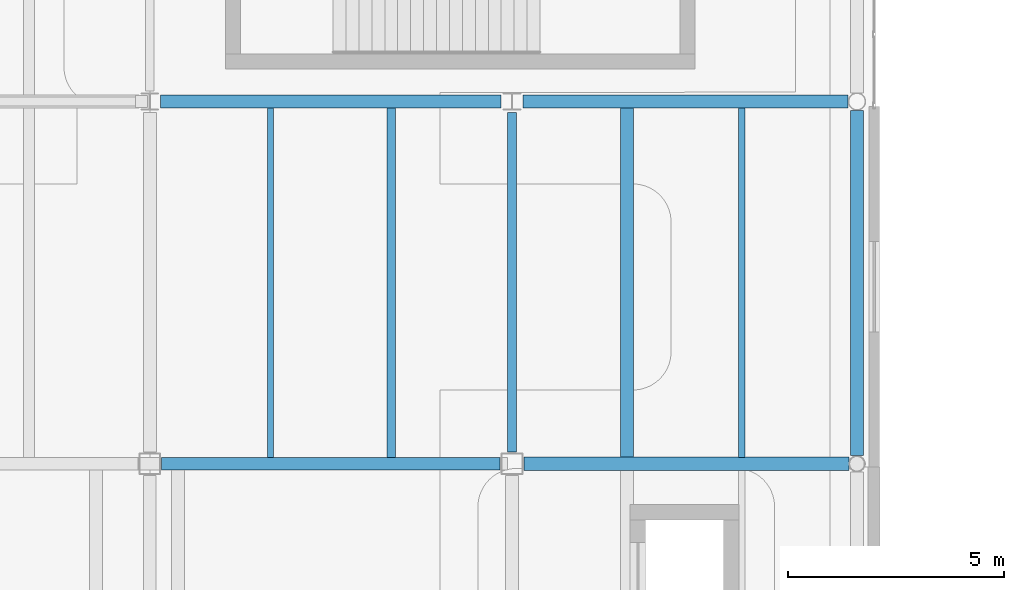
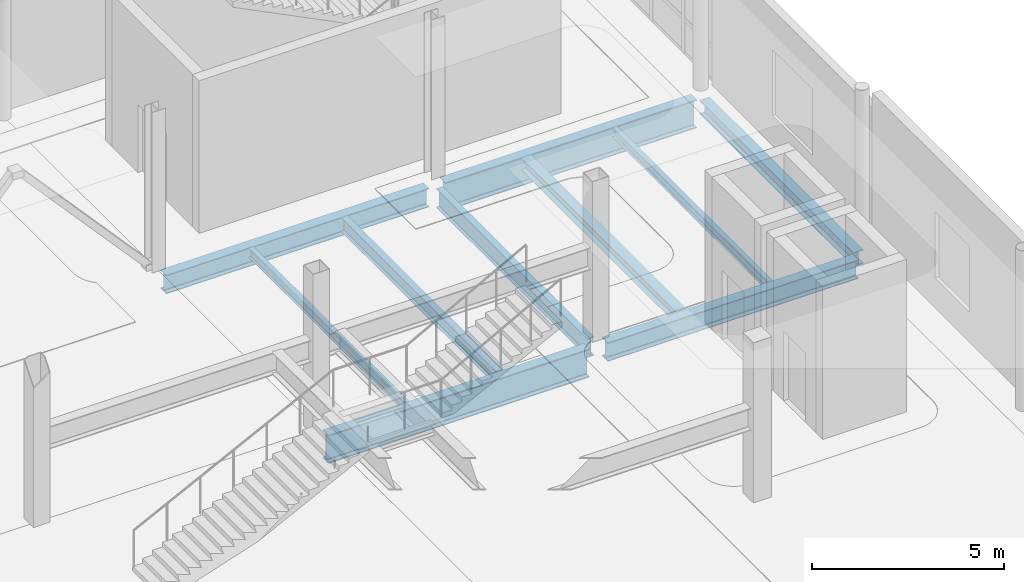
# One storey, part 41 of 103: 10 beams.
"""IFC4 building model written with IfcOpenShell, lengths in metres."""

from ifc_helpers import new_model, si_unit, direction, frame, origin, origin_2d, place, context, subcontext, project, spatial, i_section, extrude, material, material_profile, profile_set, type_object, element, save


model = new_model("IFC4")

# Units and contexts
model_context = context("Model", 3, precision=1e-05, world=origin(), true_north=direction((0.0, 1.0)))
body_context = subcontext(model_context, "Body", "Model", "MODEL_VIEW")
ifc_project = project(units=[si_unit("LENGTHUNIT", "METRE"), si_unit("AREAUNIT", "SQUARE_METRE"), si_unit("VOLUMEUNIT", "CUBIC_METRE"), si_unit("PLANEANGLEUNIT", "RADIAN"), si_unit("MASSUNIT", "GRAM", prefix="KILO"), si_unit("THERMODYNAMICTEMPERATUREUNIT", "KELVIN")], contexts=[model_context])

# Site, building, storey
site_placement = place(None, origin())
site = spatial("IfcSite", under=ifc_project, at=site_placement, CompositionType="ELEMENT")
building_placement = place(site_placement, origin())
building = spatial("IfcBuilding", under=site, at=building_placement, Name="Lustrewick Department Store", CompositionType="ELEMENT")
storey_placement = place(building_placement, frame((0.0, 0.0, 16.5)))
storey = spatial("IfcBuildingStorey", under=building, at=storey_placement, Name="L04", CompositionType="ELEMENT", Elevation=16.5)

# Beams
ifc_material_1 = material(Name="Structural steel Q355B", Category="steel")
ifc_material_profile_1 = material_profile(ifc_material_1, i_section(OverallWidth=0.199951171875, OverallDepth=0.449951171875, WebThickness=0.009033203125, FlangeThickness=0.013916015625, FilletRadius=0.01611328125, at=origin_2d()), Name="HN 450x200x9x14")
ifc_profile_set_1 = profile_set([ifc_material_profile_1], Name="Structural steel Q355B")
beam_type_1 = type_object("IfcBeamType", Name="B03", PredefinedType="JOIST", material=ifc_profile_set_1)
beam_1_placement = place(storey_placement, frame((140.0, 33.75, -0.47998046875), z_axis=(0.0, 1.0, 0.0), x_axis=(-1.0, 0.0, 0.0)))
element("IfcBeam", 1, at=beam_1_placement, inside=storey, type_object=beam_type_1, Name="L04 V3 Secondary Joist B03", PredefinedType="JOIST", context=body_context, shape_type="SweptSolid", body=[
    extrude(i_section(OverallWidth=0.199951171875, OverallDepth=0.449951171875, WebThickness=0.009033203125, FlangeThickness=0.013916015625, FilletRadius=0.01611328125, at=origin_2d()), origin(), (0.0, 0.0, 1.0), 8.09912109375),
])
ifc_material_profile_2 = material_profile(ifc_material_1, i_section(OverallWidth=0.300048828125, OverallDepth=0.389892578125, WebThickness=0.010009765625, FlangeThickness=0.01611328125, FilletRadius=0.01806640625, at=origin_2d()), Name="HM 390x300x10x16")
ifc_profile_set_2 = profile_set([ifc_material_profile_2], Name="Structural steel Q355B")
beam_type_2 = type_object("IfcBeamType", Name="B07", PredefinedType="JOIST", material=ifc_profile_set_2)
beam_2_placement = place(storey_placement, frame((145.466796875, 33.7509765625, -0.449951171875), z_axis=(0.0, 1.0, 0.0), x_axis=(-1.0, 0.0, 0.0)))
element("IfcBeam", 2, at=beam_2_placement, inside=storey, type_object=beam_type_2, Name="L04 V3 Secondary Joist B07", PredefinedType="JOIST", context=body_context, shape_type="SweptSolid", body=[
    extrude(i_section(OverallWidth=0.300048828125, OverallDepth=0.389892578125, WebThickness=0.010009765625, FlangeThickness=0.01611328125, FilletRadius=0.01806640625, at=origin_2d()), origin(), (0.0, 0.0, 1.0), 8.09912109375),
])
ifc_material_profile_3 = material_profile(ifc_material_1, i_section(OverallWidth=0.14990234375, OverallDepth=0.300048828125, WebThickness=0.006591796875, FlangeThickness=0.009033203125, FilletRadius=0.011962890625, at=origin_2d()), Name="HN 300x150x6.5x9")
ifc_profile_set_3 = profile_set([ifc_material_profile_3], Name="Structural steel Q355B")
beam_type_3 = type_object("IfcBeamType", Name="B11", PredefinedType="JOIST", material=ifc_profile_set_3)
beam_3_placement = place(storey_placement, frame((148.13330078125, 33.7509765625, -0.405029296875), z_axis=(0.0, 1.0, 0.0), x_axis=(-1.0, 0.0, 0.0)))
element("IfcBeam", 3, at=beam_3_placement, inside=storey, type_object=beam_type_3, Name="L04 V3 Secondary Joist B11", PredefinedType="JOIST", context=body_context, shape_type="SweptSolid", body=[
    extrude(i_section(OverallWidth=0.14990234375, OverallDepth=0.300048828125, WebThickness=0.006591796875, FlangeThickness=0.009033203125, FilletRadius=0.011962890625, at=origin_2d()), origin(), (0.0, 0.0, 1.0), 8.09912109375),
])
ifc_material_profile_4 = material_profile(ifc_material_1, i_section(OverallWidth=0.14892578125, OverallDepth=0.298095703125, WebThickness=0.005615234375, FlangeThickness=0.008056640625, FilletRadius=0.011962890625, at=origin_2d()), Name="HN 298x149x5.5x8")
ifc_profile_set_4 = profile_set([ifc_material_profile_4], Name="Structural steel Q355B")
beam_type_4 = type_object("IfcBeamType", Name="B12", PredefinedType="JOIST", material=ifc_profile_set_4)
beam_4_placement = place(storey_placement, frame((137.199951171875, 33.75, -0.404052734375), z_axis=(0.0, 1.0, 0.0), x_axis=(-1.0, 0.0, 0.0)))
element("IfcBeam", 4, at=beam_4_placement, inside=storey, type_object=beam_type_4, Name="L04 V3 Secondary Joist B12", PredefinedType="JOIST", context=body_context, shape_type="SweptSolid", body=[
    extrude(i_section(OverallWidth=0.14892578125, OverallDepth=0.298095703125, WebThickness=0.005615234375, FlangeThickness=0.008056640625, FilletRadius=0.011962890625, at=origin_2d()), origin(), (0.0, 0.0, 1.0), 8.09912109375),
])
ifc_material_2 = material(Name="Structural steel Q355C", Category="steel")
ifc_material_profile_5 = material_profile(ifc_material_2, i_section(OverallWidth=0.300048828125, OverallDepth=0.89990234375, WebThickness=0.01611328125, FlangeThickness=0.028076171875, FilletRadius=0.02392578125, at=origin_2d()), Name="HN 900x300x16x28")
ifc_profile_set_5 = profile_set([ifc_material_profile_5], Name="Structural steel Q355C")
beam_type_5 = type_object("IfcBeamType", Name="G02", PredefinedType="BEAM", material=ifc_profile_set_5)
beam_5_placement = place(storey_placement, frame((134.675048828125, 33.60009765625, -0.705078125), z_axis=(1.0, 0.0, 0.0), x_axis=(0.0, 1.0, 0.0)))
element("IfcBeam", 5, at=beam_5_placement, inside=storey, type_object=beam_type_5, Name="L04 V3 Girder G02", PredefinedType="BEAM", context=body_context, shape_type="SweptSolid", body=[
    extrude(i_section(OverallWidth=0.300048828125, OverallDepth=0.89990234375, WebThickness=0.01611328125, FlangeThickness=0.028076171875, FilletRadius=0.02392578125, at=origin_2d()), origin(), (0.0, 0.0, 1.0), 7.849853515625),
])
beam_6_placement = place(storey_placement, frame((143.050048828125, 42.0, -0.705078125), z_axis=(1.0, 0.0, 0.0), x_axis=(0.0, 1.0, 0.0)))
element("IfcBeam", 6, at=beam_6_placement, inside=storey, type_object=beam_type_5, Name="L04 V3 Girder G02", PredefinedType="BEAM", context=body_context, shape_type="SweptSolid", body=[
    extrude(i_section(OverallWidth=0.300048828125, OverallDepth=0.89990234375, WebThickness=0.01611328125, FlangeThickness=0.028076171875, FilletRadius=0.02392578125, at=origin_2d()), origin(), (0.0, 0.0, 1.0), 7.546875),
])
ifc_material_profile_6 = material_profile(ifc_material_1, i_section(OverallWidth=0.302001953125, OverallDepth=0.593994140625, WebThickness=0.013916015625, FlangeThickness=0.02294921875, FilletRadius=0.02392578125, at=origin_2d()), Name="HM 594x302x14x23")
ifc_profile_set_6 = profile_set([ifc_material_profile_6], Name="Structural steel Q355B")
beam_type_6 = type_object("IfcBeamType", Name="G10", PredefinedType="BEAM", material=ifc_profile_set_6)
beam_7_placement = place(storey_placement, frame((143.074951171875, 33.60009765625, -0.552001953125), z_axis=(1.0, 0.0, 0.0), x_axis=(0.0, 1.0, 0.0)))
element("IfcBeam", 7, at=beam_7_placement, inside=storey, type_object=beam_type_6, Name="L04 V3 Girder G10", PredefinedType="BEAM", context=body_context, shape_type="SweptSolid", body=[
    extrude(i_section(OverallWidth=0.302001953125, OverallDepth=0.593994140625, WebThickness=0.013916015625, FlangeThickness=0.02294921875, FilletRadius=0.02392578125, at=origin_2d()), origin(), (0.0, 0.0, 1.0), 7.53662109375),
])
beam_8_placement = place(storey_placement, frame((134.64990234375, 42.0, -0.552001953125), z_axis=(1.0, 0.0, 0.0), x_axis=(0.0, 1.0, 0.0)))
element("IfcBeam", 8, at=beam_8_placement, inside=storey, type_object=beam_type_6, Name="L04 V3 Girder G10", PredefinedType="BEAM", context=body_context, shape_type="SweptSolid", body=[
    extrude(i_section(OverallWidth=0.302001953125, OverallDepth=0.593994140625, WebThickness=0.013916015625, FlangeThickness=0.02294921875, FilletRadius=0.02392578125, at=origin_2d()), origin(), (0.0, 0.0, 1.0), 7.900146484375),
])
ifc_material_profile_7 = material_profile(ifc_material_1, i_section(OverallWidth=0.198974609375, OverallDepth=0.595947265625, WebThickness=0.010009765625, FlangeThickness=0.014892578125, FilletRadius=0.01806640625, at=origin_2d()), Name="HN 596x199x10x15")
ifc_profile_set_7 = profile_set([ifc_material_profile_7], Name="Structural steel Q355B")
beam_type_7 = type_object("IfcBeamType", Name="G15", PredefinedType="BEAM", material=ifc_profile_set_7)
beam_9_placement = place(storey_placement, frame((142.800048828125, 33.875, -0.552978515625), z_axis=(0.0, 1.0, 0.0), x_axis=(-1.0, 0.0, 0.0)))
element("IfcBeam", 9, at=beam_9_placement, inside=storey, type_object=beam_type_7, Name="L04 V3 Girder G15", PredefinedType="BEAM", context=body_context, shape_type="SweptSolid", body=[
    extrude(i_section(OverallWidth=0.198974609375, OverallDepth=0.595947265625, WebThickness=0.010009765625, FlangeThickness=0.014892578125, FilletRadius=0.01806640625, at=origin_2d()), origin(), (0.0, 0.0, 1.0), 7.875),
])
ifc_material_profile_8 = material_profile(ifc_material_1, i_section(OverallWidth=0.300048828125, OverallDepth=0.43994140625, WebThickness=0.010986328125, FlangeThickness=0.01806640625, FilletRadius=0.02001953125, at=origin_2d()), Name="HM 440x300x11x18")
ifc_profile_set_8 = profile_set([ifc_material_profile_8], Name="Structural steel Q355B")
beam_type_8 = type_object("IfcBeamType", Name="SP02", PredefinedType="SPANDREL", material=ifc_profile_set_8)
beam_10_placement = place(storey_placement, frame((150.800048828125, 33.78857421875, -0.47509765625), z_axis=(0.0, 1.0, 0.0), x_axis=(-1.0, 0.0, 0.0)))
element("IfcBeam", 10, at=beam_10_placement, inside=storey, type_object=beam_type_8, Name="L04 V3 Girder SP02", PredefinedType="SPANDREL", context=body_context, shape_type="SweptSolid", body=[
    extrude(i_section(OverallWidth=0.300048828125, OverallDepth=0.43994140625, WebThickness=0.010986328125, FlangeThickness=0.01806640625, FilletRadius=0.02001953125, at=origin_2d()), origin(), (0.0, 0.0, 1.0), 8.008544921875),
])

save(model, "model.ifc")
